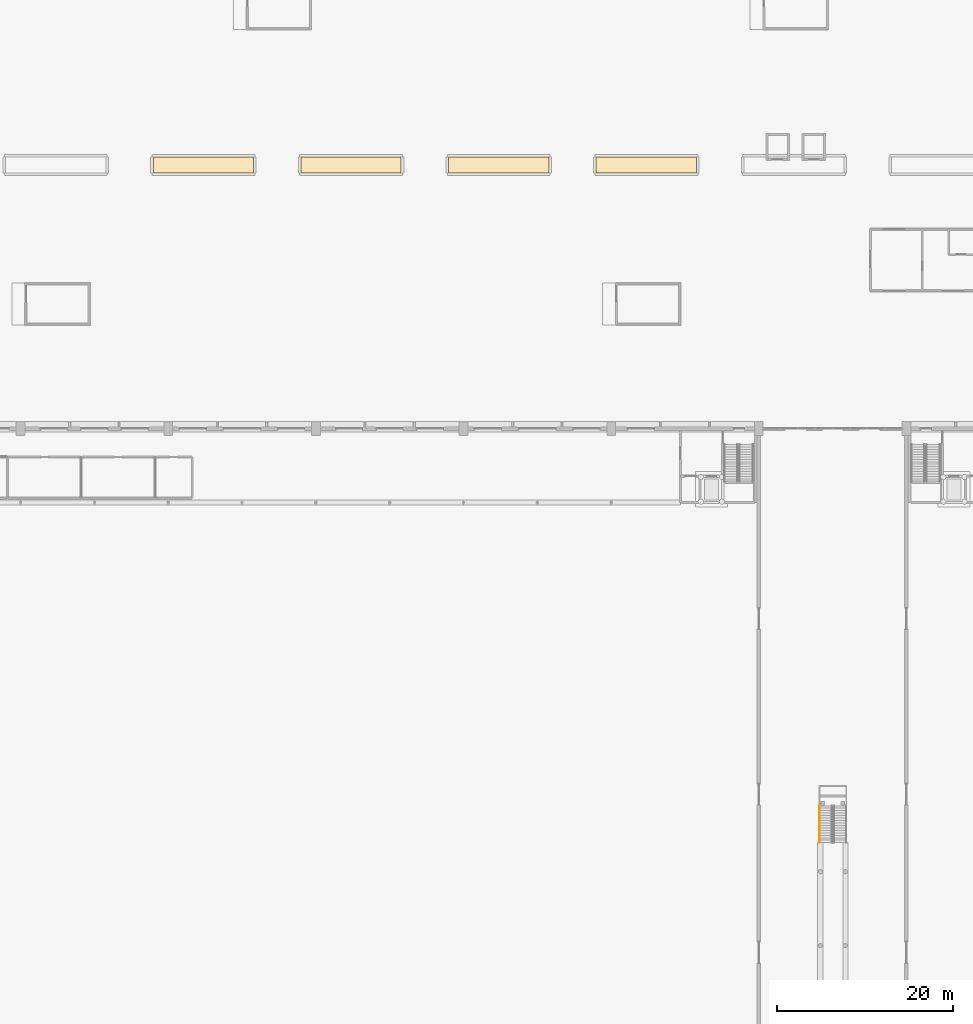
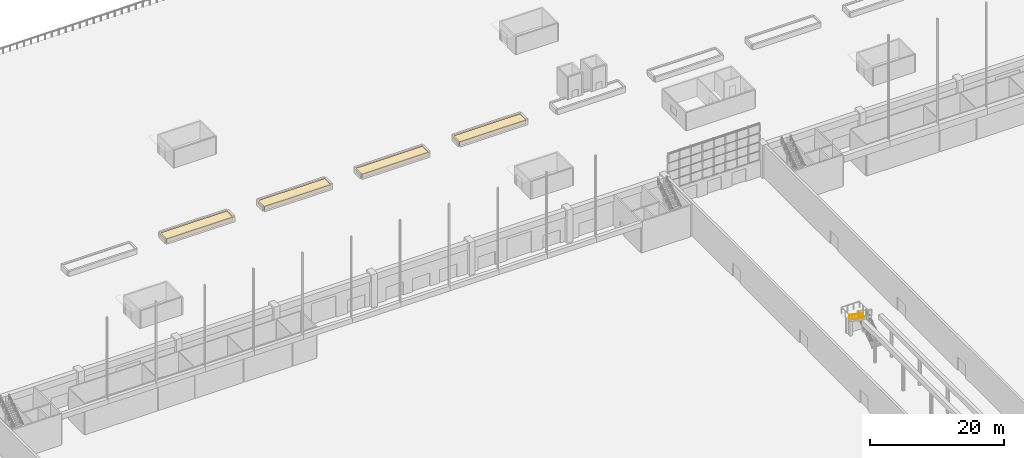
# One storey, part 201 of 210: 4 coverings, 1 railing.
"""IFC4 building model written with IfcOpenShell, lengths in metres."""

from ifc_helpers import new_model, si_unit, direction, frame, origin, origin_2d, place, context, subcontext, project, spatial, rectangle, circle, extrude, material, layer, layer_set, type_object, element, save


model = new_model("IFC4")

# Units and contexts
model_context = context("Model", 3, precision=1e-05, world=origin(), true_north=direction((0.0, 1.0)))
body_context = subcontext(model_context, "Body", "Model", "MODEL_VIEW")
ifc_project = project(units=[si_unit("LENGTHUNIT", "METRE"), si_unit("AREAUNIT", "SQUARE_METRE"), si_unit("VOLUMEUNIT", "CUBIC_METRE"), si_unit("PLANEANGLEUNIT", "RADIAN"), si_unit("MASSUNIT", "GRAM", prefix="KILO")], contexts=[model_context])

# Site, building, storey
site_placement = place(None, origin())
site = spatial("IfcSite", under=ifc_project, at=site_placement, CompositionType="ELEMENT")
building_placement = place(site_placement, origin())
building = spatial("IfcBuilding", under=site, at=building_placement, Name="Rain Tree Exposition and Congress Centre", CompositionType="ELEMENT")
storey_placement = place(building_placement, origin())
storey = spatial("IfcBuildingStorey", under=building, at=storey_placement, Name="L00", CompositionType="ELEMENT", Elevation=0.0)

# Coverings
ifc_material_1 = material(Name="Planting substrate", Category="soil")
ifc_layer = layer(ifc_material_1, 0.75)
ifc_layer_set = layer_set([ifc_layer], Name="Planting substrate")
covering_type = type_object("IfcCoveringType", Name="Planting bed substrate 750", PredefinedType="FLOORING", material=ifc_layer_set)
for number, where, z_axis, x_axis, name in (
    (1, (62.800048828125, 231.60009765625, 0.0), (0.0, 0.0, 1.0), (1.0, 0.0, 0.0), "Planting bed"),
    (2, (79.60009765625, 231.60009765625, 0.0), (0.0, 0.0, 1.0), (1.0, 0.0, 0.0), "Planting bed"),
    (3, (96.39990234375, 231.60009765625, 0.0), (0.0, 0.0, 1.0), (1.0, 0.0, 0.0), "Planting bed"),
    (4, (113.199951171875, 231.60009765625, 0.0), (0.0, 0.0, 1.0), (1.0, 0.0, 0.0), "Planting bed"),
):
    element("IfcCovering", number, at=place(storey_placement, frame(where, z_axis=z_axis, x_axis=x_axis)), inside=storey, type_object=covering_type, Name=name, PredefinedType="FLOORING", context=body_context, shape_type="SweptSolid", body=[
        extrude(rectangle(XDim=11.39990234375, YDim=1.800048828125, at=origin_2d()), origin(), (0.0, 0.0, 1.0), 0.75),
    ])

# Railing
ifc_material_2 = material(Name="Steel S355J2H", Category="steel")
railing_type = type_object("IfcRailingType", Name="Stair handrail 900", PredefinedType="HANDRAIL", material=ifc_material_2)
railing_placement = place(storey_placement, frame((132.89990234375, 158.699951171875, 3.1875)))
element("IfcRailing", 5, at=railing_placement, inside=storey, type_object=railing_type, Name="L00 ST-HL1 stair handrail 2", PredefinedType="HANDRAIL", context=body_context, shape_type="SweptSolid", body=[
    extrude(circle(Radius=0.02392578125, at=origin_2d()), frame((0.0, 0.0, 0.8759765625), z_axis=(0.0, -0.830904186295, 0.556415522067), x_axis=(1.0, 0.0, 0.0)), (0.0, 0.0, 1.0), 5.0546875),
    extrude(circle(Radius=0.02099609375, at=origin_2d()), origin(), (0.0, 0.0, 1.0), 0.851806640625),
    extrude(circle(Radius=0.02099609375, at=origin_2d()), frame((0.0, -0.840087890625, 0.5625)), (0.0, 0.0, 1.0), 0.851806640625),
    extrude(circle(Radius=0.02099609375, at=origin_2d()), frame((0.0, -1.679931640625, 1.125)), (0.0, 0.0, 1.0), 0.851806640625),
    extrude(circle(Radius=0.02099609375, at=origin_2d()), frame((0.0, -2.52001953125, 1.6875)), (0.0, 0.0, 1.0), 0.851806640625),
    extrude(circle(Radius=0.02099609375, at=origin_2d()), frame((0.0, -3.35986328125, 2.25)), (0.0, 0.0, 1.0), 0.851806640625),
    extrude(circle(Radius=0.02099609375, at=origin_2d()), frame((0.0, -4.199951171875, 2.8125)), (0.0, 0.0, 1.0), 0.851806640625),
])

save(model, "model.ifc")
